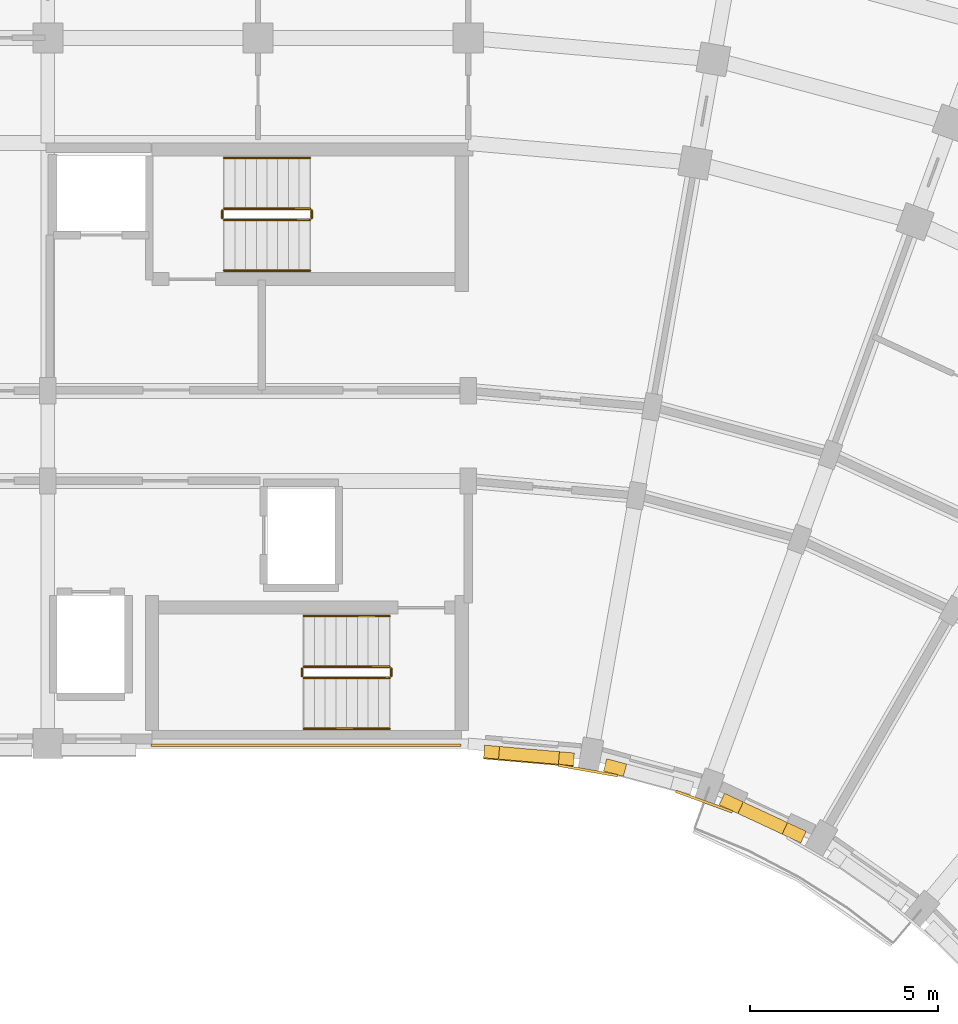
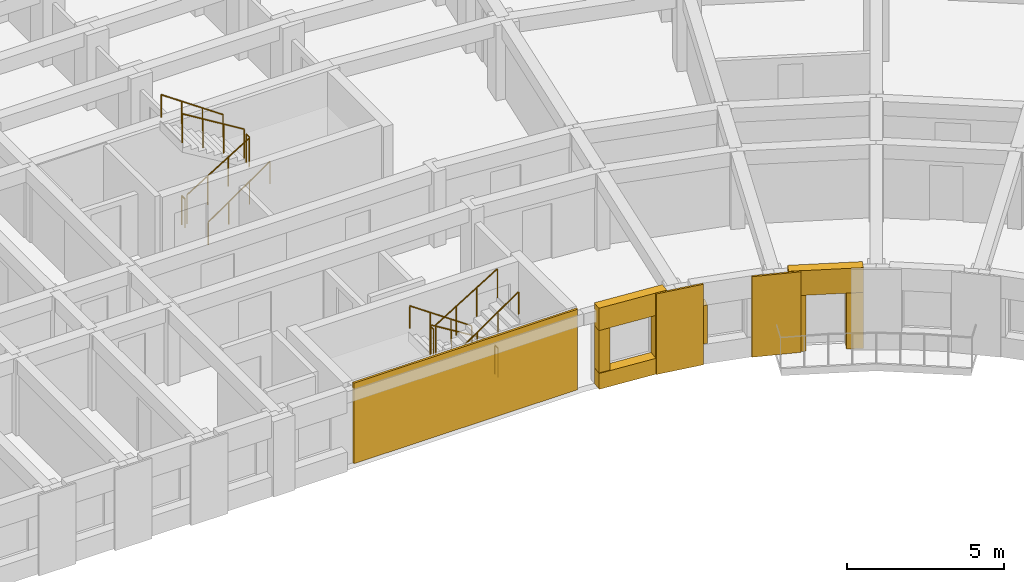
# One storey, part 49 of 54: 12 railings, 11 coverings.
"""IFC4 building model written with IfcOpenShell, lengths in metres."""

from ifc_helpers import new_model, si_unit, direction, frame, origin, origin_2d, place, context, subcontext, project, spatial, polyline, circle, outline, extrude, material, layer, layer_set, type_object, element, save


model = new_model("IFC4")

# Units and contexts
model_context = context("Model", 3, precision=1e-05, world=origin(), true_north=direction((0.0, 1.0)))
body_context = subcontext(model_context, "Body", "Model", "MODEL_VIEW")
ifc_project = project(units=[si_unit("LENGTHUNIT", "METRE"), si_unit("AREAUNIT", "SQUARE_METRE"), si_unit("VOLUMEUNIT", "CUBIC_METRE"), si_unit("PLANEANGLEUNIT", "RADIAN"), si_unit("MASSUNIT", "GRAM", prefix="KILO")], contexts=[model_context])

# Site, building, storey
site_placement = place(None, origin())
site = spatial("IfcSite", under=ifc_project, at=site_placement, CompositionType="ELEMENT")
building_placement = place(site_placement, origin())
building = spatial("IfcBuilding", under=site, at=building_placement, Name="Kiranvali Square Residences", CompositionType="ELEMENT")
storey_placement = place(building_placement, frame((0.0, 0.0, 15.0)))
storey = spatial("IfcBuildingStorey", under=building, at=storey_placement, Name="L04", CompositionType="ELEMENT", Elevation=15.0)

# Coverings
ifc_material_1 = material(Name="Honed Porbandar limestone ashlar facade cladding", Category="masonry")
ifc_layer_1 = layer(ifc_material_1, 0.3798828125)
ifc_layer_set_1 = layer_set([ifc_layer_1], Name="Honed Porbandar limestone ashlar facade cladding")
covering_type_1 = type_object("IfcCoveringType", Name="COV-CLAD-JAMB", PredefinedType="CLADDING", material=ifc_layer_set_1)
covering_1_placement = place(storey_placement, frame((0.0, 0.0, 0.6220703125)))
element("IfcCovering", 1, at=covering_1_placement, inside=storey, type_object=covering_type_1, Name="L04 deep limestone window jamb reveal B-L04-GDN-00.L", PredefinedType="CLADDING", context=body_context, shape_type="SweptSolid", body=[
    extrude(outline(polyline([(120.208740234375, 106.222900390625), (120.605712890625, 106.188232421875), (120.63525390625, 106.5263671875), (120.23828125, 106.56103515625), (120.208740234375, 106.222900390625)])), origin(), (0.0, 0.0, 1.0), 1.64990234375),
])
covering_2_placement = place(storey_placement, frame((0.0, 0.0, 0.6220703125)))
element("IfcCovering", 2, at=covering_2_placement, inside=storey, type_object=covering_type_1, Name="L04 deep limestone window jamb reveal B-L04-GDN-00.R", PredefinedType="CLADDING", context=body_context, shape_type="SweptSolid", body=[
    extrude(outline(polyline([(122.19970703125, 106.048828125), (122.5966796875, 106.013916015625), (122.626220703125, 106.352294921875), (122.229248046875, 106.386962890625), (122.19970703125, 106.048828125)])), origin(), (0.0, 0.0, 1.0), 1.64990234375),
])
covering_3_placement = place(storey_placement, frame((0.0, 0.0, 0.77197265625)))
element("IfcCovering", 3, at=covering_3_placement, inside=storey, type_object=covering_type_1, Name="L04 deep limestone window jamb reveal B-L04-GDN-01.L", PredefinedType="CLADDING", context=body_context, shape_type="SweptSolid", body=[
    extrude(outline(polyline([(123.401611328125, 105.8720703125), (123.931396484375, 105.730224609375), (124.019287109375, 106.05810546875), (123.489501953125, 106.199951171875), (123.401611328125, 105.8720703125)])), origin(), (0.0, 0.0, 1.0), 1.5),
])
covering_4_placement = place(storey_placement, origin())
element("IfcCovering", 4, at=covering_4_placement, inside=storey, type_object=covering_type_1, Name="L04 deep limestone window jamb reveal B-L04-GDN-02.L", PredefinedType="CLADDING", context=body_context, shape_type="SweptSolid", body=[
    extrude(outline(polyline([(126.485107421875, 104.97216796875), (126.982177734375, 104.740234375), (127.125732421875, 105.048095703125), (126.62841796875, 105.27978515625), (126.485107421875, 104.97216796875)])), origin(), (0.0, 0.0, 1.0), 2.179931640625),
])
covering_5_placement = place(storey_placement, origin())
element("IfcCovering", 5, at=covering_5_placement, inside=storey, type_object=covering_type_1, Name="L04 deep limestone window jamb reveal B-L04-GDN-02.R", PredefinedType="CLADDING", context=body_context, shape_type="SweptSolid", body=[
    extrude(outline(polyline([(128.160400390625, 104.19091796875), (128.657470703125, 103.958984375), (128.801025390625, 104.266845703125), (128.303955078125, 104.49853515625), (128.160400390625, 104.19091796875)])), origin(), (0.0, 0.0, 1.0), 2.179931640625),
])
ifc_layer_2 = layer(ifc_material_1, 0.06494140625)
ifc_layer_set_2 = layer_set([ifc_layer_2], Name="Honed Porbandar limestone ashlar facade cladding")
covering_type_2 = type_object("IfcCoveringType", Name="COV-CLAD-PIER", PredefinedType="CLADDING", material=ifc_layer_set_2)
covering_6_placement = place(storey_placement, frame((0.0, 0.0, 0.0048828125)))
element("IfcCovering", 6, at=covering_6_placement, inside=storey, type_object=covering_type_2, Name="Block B L04 garden stair limestone ashlar cladding", PredefinedType="CLADDING", context=body_context, shape_type="SweptSolid", body=[
    extrude(outline(polyline([(119.60009765625, 106.597900390625), (111.35009765625, 106.597900390625), (111.35009765625, 106.52001953125), (119.60009765625, 106.52001953125), (119.60009765625, 106.597900390625)])), origin(), (0.0, 0.0, 1.0), 3.14013671875),
])
ifc_layer_3 = layer(ifc_material_1, 0.050048828125)
ifc_layer_set_3 = layer_set([ifc_layer_3], Name="Honed Porbandar limestone ashlar facade cladding")
covering_type_3 = type_object("IfcCoveringType", Name="COV-CLAD-PIER-IN", PredefinedType="CLADDING", material=ifc_layer_set_3)
covering_7_placement = place(storey_placement, frame((0.0, 0.0, 0.0048828125)))
element("IfcCovering", 7, at=covering_7_placement, inside=storey, type_object=covering_type_3, Name="L04 Classical garden courtyard pilaster CLAD-PRIN-B-L04-A01", PredefinedType="CLADDING", context=body_context, shape_type="SweptSolid", body=[
    extrude(outline(polyline([(122.195556640625, 105.992431640625), (123.771240234375, 105.714599609375), (123.782958984375, 105.781005859375), (122.207275390625, 106.058837890625), (122.195556640625, 105.992431640625)])), origin(), (0.0, 0.0, 1.0), 3.14013671875),
])
covering_8_placement = place(storey_placement, frame((0.0, 0.0, 0.0048828125)))
element("IfcCovering", 8, at=covering_8_placement, inside=storey, type_object=covering_type_3, Name="L04 Classical garden courtyard pilaster CLAD-PRIN-B-L04-A02", PredefinedType="CLADDING", context=body_context, shape_type="SweptSolid", body=[
    extrude(outline(polyline([(125.318115234375, 105.300048828125), (126.82177734375, 104.7529296875), (126.8447265625, 104.816162109375), (125.34130859375, 105.363525390625), (125.318115234375, 105.300048828125)])), origin(), (0.0, 0.0, 1.0), 3.14013671875),
])
ifc_layer_4 = layer(ifc_material_1, 0.360107421875)
ifc_layer_set_4 = layer_set([ifc_layer_4], Name="Honed Porbandar limestone ashlar facade cladding")
covering_type_4 = type_object("IfcCoveringType", Name="COV-CLAD-WALL", PredefinedType="CLADDING", material=ifc_layer_set_4)
covering_9_placement = place(storey_placement, frame((0.0, 0.0, 2.27197265625)))
element("IfcCovering", 9, at=covering_9_placement, inside=storey, type_object=covering_type_4, Name="L04 light limestone spandrel lintel B-L04-GDN-00", PredefinedType="CLADDING", context=body_context, shape_type="SweptSolid", body=[
    extrude(outline(polyline([(120.208740234375, 106.222900390625), (122.5966796875, 106.013916015625), (122.626220703125, 106.352294921875), (120.23828125, 106.56103515625), (120.208740234375, 106.222900390625)])), origin(), (0.0, 0.0, 1.0), 0.873046875),
])
covering_10_placement = place(storey_placement, frame((0.0, 0.0, 2.179931640625)))
element("IfcCovering", 10, at=covering_10_placement, inside=storey, type_object=covering_type_4, Name="L04 light limestone spandrel lintel B-L04-GDN-02", PredefinedType="CLADDING", context=body_context, shape_type="SweptSolid", body=[
    extrude(outline(polyline([(126.485107421875, 104.97216796875), (128.657470703125, 103.958984375), (128.801025390625, 104.266845703125), (126.62841796875, 105.27978515625), (126.485107421875, 104.97216796875)])), origin(), (0.0, 0.0, 1.0), 0.965087890625),
])
ifc_layer_5 = layer(ifc_material_1, 0.2900390625)
ifc_layer_set_5 = layer_set([ifc_layer_5], Name="Honed Porbandar limestone ashlar facade cladding")
covering_type_5 = type_object("IfcCoveringType", Name="COV-CLAD-WALL-IN", PredefinedType="CLADDING", material=ifc_layer_set_5)
covering_11_placement = place(storey_placement, frame((0.0, 0.0, 0.0048828125)))
element("IfcCovering", 11, at=covering_11_placement, inside=storey, type_object=covering_type_5, Name="L04 limestone window sill apron B-L04-GDN-00", PredefinedType="CLADDING", context=body_context, shape_type="SweptSolid", body=[
    extrude(outline(polyline([(120.2060546875, 106.193115234375), (122.593994140625, 105.984130859375), (122.626220703125, 106.352294921875), (120.23828125, 106.56103515625), (120.2060546875, 106.193115234375)])), origin(), (0.0, 0.0, 1.0), 0.6171875),
])

# Railings
ifc_material_2 = material(Name="Brushed stainless steel tubular handrail", Category="steel")
railing_type_1 = type_object("IfcRailingType", Name="RL-HANDRAIL-900", PredefinedType="HANDRAIL", material=ifc_material_2)
railing_1_placement = place(storey_placement, frame((113.300048828125, 119.199951171875, 0.175048828125)))
element("IfcRailing", 12, at=railing_1_placement, inside=storey, type_object=railing_type_1, Name="L04 ST-B1 stair handrail 1", PredefinedType="HANDRAIL", context=body_context, shape_type="SweptSolid", body=[
    extrude(circle(Radius=0.02392578125, at=origin_2d()), frame((0.0, 0.0, 0.8759765625), z_axis=(0.82278801735, 0.0, 0.568348377763), x_axis=(0.0, 1.0, 0.0)), (0.0, 0.0, 1.0), 2.77099609375),
    extrude(circle(Radius=0.02099609375, at=origin_2d()), origin(), (0.0, 0.0, 1.0), 0.851806640625),
    extrude(circle(Radius=0.02099609375, at=origin_2d()), frame((0.760009765625, 0.0, 0.52490234375)), (0.0, 0.0, 1.0), 0.851806640625),
    extrude(circle(Radius=0.02099609375, at=origin_2d()), frame((1.52001953125, 0.0, 1.050048828125)), (0.0, 0.0, 1.0), 0.851806640625),
    extrude(circle(Radius=0.02099609375, at=origin_2d()), frame((2.280029296875, 0.0, 1.574951171875)), (0.0, 0.0, 1.0), 0.851806640625),
])
for number, where, name in (
    (13, (115.580078125, 122.199951171875, 1.75), "L04 ST-B1 stair handrail 2"),
    (14, (117.699951171875, 110.0, 0.175048828125), "L04 ST-B2 stair handrail 1"),
):
    element("IfcRailing", number, at=place(storey_placement, frame(where)), inside=storey, type_object=railing_type_1, Name=name, PredefinedType="HANDRAIL", context=body_context, shape_type="SweptSolid", body=[
        extrude(circle(Radius=0.02392578125, at=origin_2d()), frame((0.0, 0.0, 0.8759765625), z_axis=(-0.82278801735, 0.0, 0.568348377763), x_axis=(0.0, -1.0, 0.0)), (0.0, 0.0, 1.0), 2.77099609375),
        extrude(circle(Radius=0.02099609375, at=origin_2d()), origin(), (0.0, 0.0, 1.0), 0.851806640625),
        extrude(circle(Radius=0.02099609375, at=origin_2d()), frame((-0.760009765625, 0.0, 0.52490234375)), (0.0, 0.0, 1.0), 0.851806640625),
        extrude(circle(Radius=0.02099609375, at=origin_2d()), frame((-1.52001953125, 0.0, 1.050048828125)), (0.0, 0.0, 1.0), 0.851806640625),
        extrude(circle(Radius=0.02099609375, at=origin_2d()), frame((-2.280029296875, 0.0, 1.574951171875)), (0.0, 0.0, 1.0), 0.851806640625),
    ])
railing_2_placement = place(storey_placement, frame((115.419921875, 107.0, 1.75)))
element("IfcRailing", 15, at=railing_2_placement, inside=storey, type_object=railing_type_1, Name="L04 ST-B2 stair handrail 2", PredefinedType="HANDRAIL", context=body_context, shape_type="SweptSolid", body=[
    extrude(circle(Radius=0.02392578125, at=origin_2d()), frame((0.0, 0.0, 0.8759765625), z_axis=(0.82278801735, 0.0, 0.568348377763), x_axis=(0.0, 1.0, 0.0)), (0.0, 0.0, 1.0), 2.77099609375),
    extrude(circle(Radius=0.02099609375, at=origin_2d()), origin(), (0.0, 0.0, 1.0), 0.851806640625),
    extrude(circle(Radius=0.02099609375, at=origin_2d()), frame((0.760009765625, 0.0, 0.52490234375)), (0.0, 0.0, 1.0), 0.851806640625),
    extrude(circle(Radius=0.02099609375, at=origin_2d()), frame((1.52001953125, 0.0, 1.050048828125)), (0.0, 0.0, 1.0), 0.851806640625),
    extrude(circle(Radius=0.02099609375, at=origin_2d()), frame((2.280029296875, 0.0, 1.574951171875)), (0.0, 0.0, 1.0), 0.851806640625),
])
ifc_material_3 = material(Name="Powder-coated architectural bronze balustrade", Category="steel")
railing_type_2 = type_object("IfcRailingType", Name="RL-ST-GUARD-1200", PredefinedType="GUARDRAIL", material=ifc_material_3)
railing_3_placement = place(storey_placement, frame((113.300048828125, 120.550048828125, 0.175048828125)))
element("IfcRailing", 16, at=railing_3_placement, inside=storey, type_object=railing_type_2, Name="L04 ST-B1 stair guard 1", PredefinedType="GUARDRAIL", context=body_context, shape_type="SweptSolid", body=[
    extrude(circle(Radius=0.02392578125, at=origin_2d()), frame((0.0, 0.0, 1.1259765625), z_axis=(0.852190499154, 0.0, 0.523231643875), x_axis=(0.0, 1.0, 0.0)), (0.0, 0.0, 1.0), 2.675537109375),
    extrude(circle(Radius=0.02099609375, at=origin_2d()), origin(), (0.0, 0.0, 1.0), 1.101806640625),
    extrude(circle(Radius=0.02099609375, at=origin_2d()), frame((0.760009765625, 0.0, 0.466552734375)), (0.0, 0.0, 1.0), 1.101806640625),
    extrude(circle(Radius=0.02099609375, at=origin_2d()), frame((1.52001953125, 0.0, 0.933349609375)), (0.0, 0.0, 1.0), 1.101806640625),
    extrude(circle(Radius=0.02099609375, at=origin_2d()), frame((2.280029296875, 0.0, 1.39990234375)), (0.0, 0.0, 1.0), 1.101806640625),
])
railing_4_placement = place(storey_placement, frame((115.6298828125, 120.60009765625, 1.574951171875)))
element("IfcRailing", 17, at=railing_4_placement, inside=storey, type_object=railing_type_2, Name="L04 ST-B1 stair guard 2", PredefinedType="GUARDRAIL", context=body_context, shape_type="SweptSolid", body=[
    extrude(circle(Radius=0.02392578125, at=origin_2d()), frame((0.0, 0.0, 1.1259765625), z_axis=(0.0, 1.0, 0.0), x_axis=(-1.0, 0.0, 0.0)), (0.0, 0.0, 1.0), 0.199951171875),
    extrude(circle(Radius=0.02099609375, at=origin_2d()), origin(), (0.0, 0.0, 1.0), 1.101806640625),
    extrude(circle(Radius=0.02099609375, at=origin_2d()), frame((0.0, 0.199951171875, 0.0)), (0.0, 0.0, 1.0), 1.101806640625),
])
railing_5_placement = place(storey_placement, frame((115.580078125, 120.85009765625, 1.75)))
element("IfcRailing", 18, at=railing_5_placement, inside=storey, type_object=railing_type_2, Name="L04 ST-B1 stair guard 3", PredefinedType="GUARDRAIL", context=body_context, shape_type="SweptSolid", body=[
    extrude(circle(Radius=0.02392578125, at=origin_2d()), frame((0.0, 0.0, 1.1259765625), z_axis=(-0.852190499154, 0.0, 0.523231643875), x_axis=(0.0, -1.0, 0.0)), (0.0, 0.0, 1.0), 2.675537109375),
    extrude(circle(Radius=0.02099609375, at=origin_2d()), origin(), (0.0, 0.0, 1.0), 1.101806640625),
    extrude(circle(Radius=0.02099609375, at=origin_2d()), frame((-0.760009765625, 0.0, 0.466552734375)), (0.0, 0.0, 1.0), 1.101806640625),
    extrude(circle(Radius=0.02099609375, at=origin_2d()), frame((-1.52001953125, 0.0, 0.933349609375)), (0.0, 0.0, 1.0), 1.101806640625),
    extrude(circle(Radius=0.02099609375, at=origin_2d()), frame((-2.280029296875, 0.0, 1.39990234375)), (0.0, 0.0, 1.0), 1.101806640625),
])
railing_6_placement = place(storey_placement, frame((113.25, 120.60009765625, 0.0)))
element("IfcRailing", 19, at=railing_6_placement, inside=storey, type_object=railing_type_2, Name="L04 ST-B1 stair guard 4", PredefinedType="GUARDRAIL", context=body_context, shape_type="SweptSolid", body=[
    extrude(circle(Radius=0.02392578125, at=origin_2d()), frame((0.0, 0.0, 1.1259765625), z_axis=(0.0, 1.0, 0.0), x_axis=(-1.0, 0.0, 0.0)), (0.0, 0.0, 1.0), 0.199951171875),
    extrude(circle(Radius=0.02099609375, at=origin_2d()), origin(), (0.0, 0.0, 1.0), 1.101806640625),
    extrude(circle(Radius=0.02099609375, at=origin_2d()), frame((0.0, 0.199951171875, 0.0)), (0.0, 0.0, 1.0), 1.101806640625),
])
railing_7_placement = place(storey_placement, frame((117.699951171875, 108.64990234375, 0.175048828125)))
element("IfcRailing", 20, at=railing_7_placement, inside=storey, type_object=railing_type_2, Name="L04 ST-B2 stair guard 1", PredefinedType="GUARDRAIL", context=body_context, shape_type="SweptSolid", body=[
    extrude(circle(Radius=0.02392578125, at=origin_2d()), frame((0.0, 0.0, 1.1259765625), z_axis=(-0.852190499154, 0.0, 0.523231643875), x_axis=(0.0, -1.0, 0.0)), (0.0, 0.0, 1.0), 2.675537109375),
    extrude(circle(Radius=0.02099609375, at=origin_2d()), origin(), (0.0, 0.0, 1.0), 1.101806640625),
    extrude(circle(Radius=0.02099609375, at=origin_2d()), frame((-0.760009765625, 0.0, 0.466552734375)), (0.0, 0.0, 1.0), 1.101806640625),
    extrude(circle(Radius=0.02099609375, at=origin_2d()), frame((-1.52001953125, 0.0, 0.933349609375)), (0.0, 0.0, 1.0), 1.101806640625),
    extrude(circle(Radius=0.02099609375, at=origin_2d()), frame((-2.280029296875, 0.0, 1.39990234375)), (0.0, 0.0, 1.0), 1.101806640625),
])
railing_8_placement = place(storey_placement, frame((115.3701171875, 108.60009765625, 1.574951171875)))
element("IfcRailing", 21, at=railing_8_placement, inside=storey, type_object=railing_type_2, Name="L04 ST-B2 stair guard 2", PredefinedType="GUARDRAIL", context=body_context, shape_type="SweptSolid", body=[
    extrude(circle(Radius=0.02392578125, at=origin_2d()), frame((0.0, 0.0, 1.1259765625), z_axis=(0.0, -1.0, 0.0), x_axis=(1.0, 0.0, 0.0)), (0.0, 0.0, 1.0), 0.2001953125),
    extrude(circle(Radius=0.02099609375, at=origin_2d()), origin(), (0.0, 0.0, 1.0), 1.101806640625),
    extrude(circle(Radius=0.02099609375, at=origin_2d()), frame((0.0, -0.2001953125, 0.0)), (0.0, 0.0, 1.0), 1.101806640625),
])
railing_9_placement = place(storey_placement, frame((115.419921875, 108.35009765625, 1.75)))
element("IfcRailing", 22, at=railing_9_placement, inside=storey, type_object=railing_type_2, Name="L04 ST-B2 stair guard 3", PredefinedType="GUARDRAIL", context=body_context, shape_type="SweptSolid", body=[
    extrude(circle(Radius=0.02392578125, at=origin_2d()), frame((0.0, 0.0, 1.1259765625), z_axis=(0.852190499154, 0.0, 0.523231643875), x_axis=(0.0, 1.0, 0.0)), (0.0, 0.0, 1.0), 2.675537109375),
    extrude(circle(Radius=0.02099609375, at=origin_2d()), origin(), (0.0, 0.0, 1.0), 1.101806640625),
    extrude(circle(Radius=0.02099609375, at=origin_2d()), frame((0.760009765625, 0.0, 0.466552734375)), (0.0, 0.0, 1.0), 1.101806640625),
    extrude(circle(Radius=0.02099609375, at=origin_2d()), frame((1.52001953125, 0.0, 0.933349609375)), (0.0, 0.0, 1.0), 1.101806640625),
    extrude(circle(Radius=0.02099609375, at=origin_2d()), frame((2.280029296875, 0.0, 1.39990234375)), (0.0, 0.0, 1.0), 1.101806640625),
])
railing_10_placement = place(storey_placement, frame((117.75, 108.60009765625, 0.0)))
element("IfcRailing", 23, at=railing_10_placement, inside=storey, type_object=railing_type_2, Name="L04 ST-B2 stair guard 4", PredefinedType="GUARDRAIL", context=body_context, shape_type="SweptSolid", body=[
    extrude(circle(Radius=0.02392578125, at=origin_2d()), frame((0.0, 0.0, 1.1259765625), z_axis=(0.0, -1.0, 0.0), x_axis=(1.0, 0.0, 0.0)), (0.0, 0.0, 1.0), 0.2001953125),
    extrude(circle(Radius=0.02099609375, at=origin_2d()), origin(), (0.0, 0.0, 1.0), 1.101806640625),
    extrude(circle(Radius=0.02099609375, at=origin_2d()), frame((0.0, -0.2001953125, 0.0)), (0.0, 0.0, 1.0), 1.101806640625),
])

save(model, "model.ifc")
